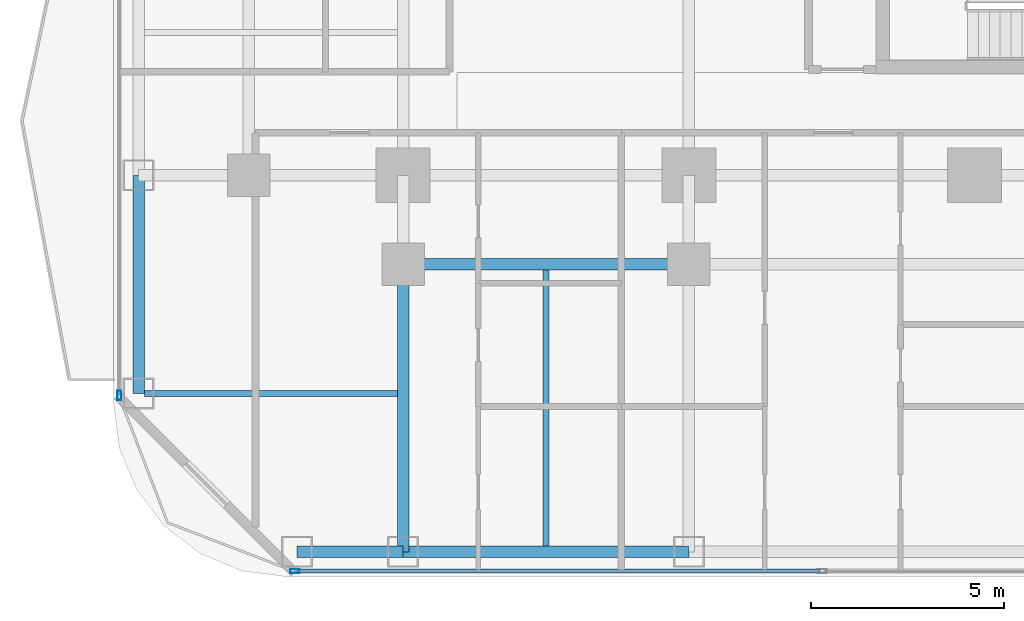
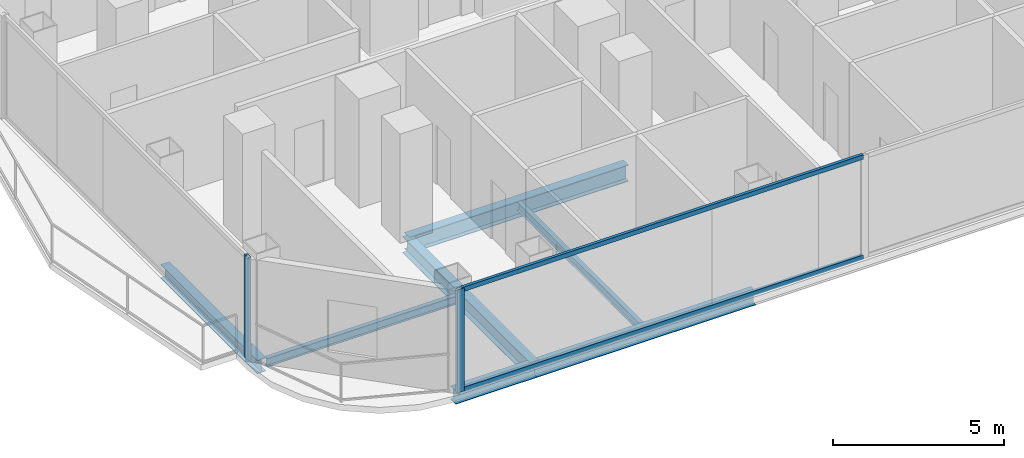
# One storey, part 2 of 28: 7 beams, 4 members, 2 elements without a shape of their own.
"""IFC4 building model written with IfcOpenShell, lengths in metres."""

from ifc_helpers import new_model, si_unit, direction, frame, origin, origin_2d, place, context, subcontext, project, spatial, hollow_rectangle, i_section, extrude, material, layer, layer_set, material_profile, profile_set, type_object, element, aggregate, save


model = new_model("IFC4")

# Units and contexts
model_context = context("Model", 3, precision=1e-05, world=origin(), true_north=direction((0.0, 1.0)))
body_context = subcontext(model_context, "Body", "Model", "MODEL_VIEW")
ifc_project = project(units=[si_unit("LENGTHUNIT", "METRE"), si_unit("AREAUNIT", "SQUARE_METRE"), si_unit("VOLUMEUNIT", "CUBIC_METRE"), si_unit("PLANEANGLEUNIT", "RADIAN"), si_unit("MASSUNIT", "GRAM", prefix="KILO")], contexts=[model_context])

# Site, building, storey
site_placement = place(None, origin())
site = spatial("IfcSite", under=ifc_project, at=site_placement, CompositionType="ELEMENT")
building_placement = place(site_placement, origin())
building = spatial("IfcBuilding", under=site, at=building_placement, Name="Khorvyn Point Tower", CompositionType="ELEMENT")
storey_placement = place(building_placement, frame((0.0, 0.0, 34.5)))
storey = spatial("IfcBuildingStorey", under=building, at=storey_placement, Name="L09", CompositionType="ELEMENT", Elevation=34.5)

# Curtain wall, member
ifc_material_1 = material(Name="Anodised aluminium 6063-T6 and laminated Low-E glass", Category="aluminium")
ifc_layer = layer(ifc_material_1, 0.18994140625)
ifc_layer_set = layer_set([ifc_layer], Name="Stick-Built Finned Residential Curtain Wall CW-SYS-02")
curtain_wall_type = type_object("IfcCurtainWallType", Name="Stick-Built Finned Residential Curtain Wall CW-SYS-02", PredefinedType="NOTDEFINED", material=ifc_layer_set)
curtain_wall_1_placement = place(storey_placement, origin())
curtain_wall_1 = element("IfcCurtainWall", 1, at=curtain_wall_1_placement, inside=storey, type_object=curtain_wall_type, Name="Curtain Wall", PredefinedType="NOTDEFINED")
ifc_material_2 = material(Name="Anodised aluminium 6063-T6", Category="aluminium")
ifc_material_profile_1 = material_profile(ifc_material_2, hollow_rectangle(XDim=0.10009765625, YDim=0.239990234375, WallThickness=0.0048828125, at=origin_2d()))
ifc_profile_set_1 = profile_set([ifc_material_profile_1], Name="Anodised aluminium 6063-T6 ALU-MUL-100x240")
member_type_1 = type_object("IfcMemberType", Name="Anodised Aluminium 6063-T6 Mullion ALU-MUL-100x240", PredefinedType="MULLION", material=ifc_profile_set_1)
member_1_placement = place(storey_placement, frame((-17.60009765625, -25.050048828125, 0.0), z_axis=(0.0, 0.0, 1.0), x_axis=(0.0, -1.0, 0.0)))
member_1 = element("IfcMember", 2, at=member_1_placement, type_object=member_type_1, Name="Transom", PredefinedType="MULLION", context=body_context, shape_type="SweptSolid", body=[
    extrude(hollow_rectangle(XDim=0.10009765625, YDim=0.239990234375, WallThickness=0.0048828125, at=origin_2d()), origin(), (0.0, 0.0, 1.0), 3.679931640625),
])

curtain_wall_2_placement = place(storey_placement, origin())
curtain_wall_2 = element("IfcCurtainWall", 3, at=curtain_wall_2_placement, inside=storey, type_object=curtain_wall_type, Name="Curtain Wall", PredefinedType="NOTDEFINED")
member_2_placement = place(storey_placement, frame((-22.14990234375, -20.5, 0.0), z_axis=(0.0, 0.0, 1.0), x_axis=(-1.0, 0.0, 0.0)))
member_2 = element("IfcMember", 4, at=member_2_placement, type_object=member_type_1, Name="Transom", PredefinedType="MULLION", context=body_context, shape_type="SweptSolid", body=[
    extrude(hollow_rectangle(XDim=0.10009765625, YDim=0.239990234375, WallThickness=0.0048828125, at=origin_2d()), origin(), (0.0, 0.0, 1.0), 3.679931640625),
])
aggregate(curtain_wall_2, [member_2])

# Member
ifc_material_profile_2 = material_profile(ifc_material_2, hollow_rectangle(XDim=0.10009765625, YDim=0.159912109375, WallThickness=0.00439453125, at=origin_2d()))
ifc_profile_set_2 = profile_set([ifc_material_profile_2], Name="Anodised aluminium 6063-T6 ALU-TRN-100x160")
member_type_2 = type_object("IfcMemberType", Name="Anodised Aluminium 6063-T6 Transom ALU-TRN-100x160", PredefinedType="USERDEFINED", material=ifc_profile_set_2)
member_3_placement = place(storey_placement, frame((-4.0, -25.050048828125, 0.050048828125), z_axis=(-1.0, 0.0, 0.0), x_axis=(0.0, -1.0, 0.0)))
member_3 = element("IfcMember", 5, at=member_3_placement, type_object=member_type_2, Name="Transom", ObjectType="TRANSOM", PredefinedType="USERDEFINED", context=body_context, shape_type="SweptSolid", body=[
    extrude(hollow_rectangle(XDim=0.10009765625, YDim=0.159912109375, WallThickness=0.00439453125, at=origin_2d()), origin(), (0.0, 0.0, 1.0), 13.550048828125),
])

member_4_placement = place(storey_placement, frame((-4.0, -25.050048828125, 3.6298828125), z_axis=(-1.0, 0.0, 0.0), x_axis=(0.0, -1.0, 0.0)))
member_4 = element("IfcMember", 6, at=member_4_placement, type_object=member_type_2, Name="Transom", ObjectType="TRANSOM", PredefinedType="USERDEFINED", context=body_context, shape_type="SweptSolid", body=[
    extrude(hollow_rectangle(XDim=0.10009765625, YDim=0.159912109375, WallThickness=0.00439453125, at=origin_2d()), origin(), (0.0, 0.0, 1.0), 13.550048828125),
])

aggregate(curtain_wall_1, [member_1, member_3, member_4])

# Beams
ifc_material_3 = material(Name="Steel S355", Category="steel")
ifc_material_profile_3 = material_profile(ifc_material_3, i_section(OverallWidth=0.300048828125, OverallDepth=0.587890625, WebThickness=0.011962890625, FlangeThickness=0.02001953125, at=origin_2d()))
ifc_profile_set_3 = profile_set([ifc_material_profile_3], Name="Steel S355 H588x300x12x20")
beam_type_1 = type_object("IfcBeamType", Name="Steel S355 Beam H588x300x12x20", PredefinedType="BEAM", material=ifc_profile_set_3)
beam_1_placement = place(storey_placement, frame((-14.800048828125, -17.10009765625, -0.513916015625), z_axis=(1.0, 0.0, 0.0), x_axis=(0.0, 1.0, 0.0)))
element("IfcBeam", 7, at=beam_1_placement, inside=storey, type_object=beam_type_1, Name="Beam", PredefinedType="BEAM", context=body_context, shape_type="SweptSolid", body=[
    extrude(i_section(OverallWidth=0.300048828125, OverallDepth=0.587890625, WebThickness=0.011962890625, FlangeThickness=0.02001953125, at=origin_2d()), origin(), (0.0, 0.0, 1.0), 7.400146484375),
])
beam_2_placement = place(storey_placement, frame((-14.800048828125, -24.550048828125, -0.513916015625), z_axis=(0.0, 1.0, 0.0), x_axis=(-1.0, 0.0, 0.0)))
element("IfcBeam", 8, at=beam_2_placement, inside=storey, type_object=beam_type_1, Name="Beam", PredefinedType="BEAM", context=body_context, shape_type="SweptSolid", body=[
    extrude(i_section(OverallWidth=0.300048828125, OverallDepth=0.587890625, WebThickness=0.011962890625, FlangeThickness=0.02001953125, at=origin_2d()), origin(), (0.0, 0.0, 1.0), 7.449951171875),
])
ifc_material_profile_4 = material_profile(ifc_material_3, i_section(OverallWidth=0.14990234375, OverallDepth=0.300048828125, WebThickness=0.006591796875, FlangeThickness=0.009033203125, at=origin_2d()))
ifc_profile_set_4 = profile_set([ifc_material_profile_4], Name="Steel S355 H300x150x6.5x9")
beam_type_2 = type_object("IfcBeamType", Name="Steel S355 Joist H300x150x6.5x9", PredefinedType="JOIST", material=ifc_profile_set_4)
beam_3_placement = place(storey_placement, frame((-11.10009765625, -24.39990234375, -0.3701171875), z_axis=(0.0, 1.0, 0.0), x_axis=(-1.0, 0.0, 0.0)))
element("IfcBeam", 9, at=beam_3_placement, inside=storey, type_object=beam_type_2, Name="Beam", PredefinedType="JOIST", context=body_context, shape_type="SweptSolid", body=[
    extrude(i_section(OverallWidth=0.14990234375, OverallDepth=0.300048828125, WebThickness=0.006591796875, FlangeThickness=0.009033203125, at=origin_2d()), origin(), (0.0, 0.0, 1.0), 7.14990234375),
])
beam_4_placement = place(storey_placement, frame((-21.5, -20.449951171875, -0.3701171875), z_axis=(1.0, 0.0, 0.0), x_axis=(0.0, 1.0, 0.0)))
element("IfcBeam", 10, at=beam_4_placement, inside=storey, type_object=beam_type_2, Name="Beam", PredefinedType="JOIST", context=body_context, shape_type="SweptSolid", body=[
    extrude(i_section(OverallWidth=0.14990234375, OverallDepth=0.300048828125, WebThickness=0.006591796875, FlangeThickness=0.009033203125, at=origin_2d()), origin(), (0.0, 0.0, 1.0), 6.550048828125),
])
ifc_material_profile_5 = material_profile(ifc_material_3, i_section(OverallWidth=0.300048828125, OverallDepth=0.488037109375, WebThickness=0.010986328125, FlangeThickness=0.01806640625, at=origin_2d()))
ifc_profile_set_5 = profile_set([ifc_material_profile_5], Name="Steel S355 H488x300x11x18")
beam_type_3 = type_object("IfcBeamType", Name="Steel S355 Spandrel H488x300x11x18", PredefinedType="SPANDREL", material=ifc_profile_set_5)
beam_5_placement = place(storey_placement, frame((-17.550048828125, -24.550048828125, -0.464111328125), z_axis=(1.0, 0.0, 0.0), x_axis=(0.0, 1.0, 0.0)))
element("IfcBeam", 11, at=beam_5_placement, inside=storey, type_object=beam_type_3, Name="Beam", PredefinedType="SPANDREL", context=body_context, shape_type="SweptSolid", body=[
    extrude(i_section(OverallWidth=0.300048828125, OverallDepth=0.488037109375, WebThickness=0.010986328125, FlangeThickness=0.01806640625, at=origin_2d()), origin(), (0.0, 0.0, 1.0), 2.75),
])
beam_6_placement = place(storey_placement, frame((-14.800048828125, -24.550048828125, -0.464111328125), z_axis=(1.0, 0.0, 0.0), x_axis=(0.0, 1.0, 0.0)))
element("IfcBeam", 12, at=beam_6_placement, inside=storey, type_object=beam_type_3, Name="Beam", PredefinedType="SPANDREL", context=body_context, shape_type="SweptSolid", body=[
    extrude(i_section(OverallWidth=0.300048828125, OverallDepth=0.488037109375, WebThickness=0.010986328125, FlangeThickness=0.01806640625, at=origin_2d()), origin(), (0.0, 0.0, 1.0), 7.400146484375),
])
beam_7_placement = place(storey_placement, frame((-21.64990234375, -20.449951171875, -0.464111328125), z_axis=(0.0, 1.0, 0.0), x_axis=(-1.0, 0.0, 0.0)))
element("IfcBeam", 13, at=beam_7_placement, inside=storey, type_object=beam_type_3, Name="Beam", PredefinedType="SPANDREL", context=body_context, shape_type="SweptSolid", body=[
    extrude(i_section(OverallWidth=0.300048828125, OverallDepth=0.488037109375, WebThickness=0.010986328125, FlangeThickness=0.01806640625, at=origin_2d()), origin(), (0.0, 0.0, 1.0), 5.64990234375),
])

save(model, "model.ifc")
